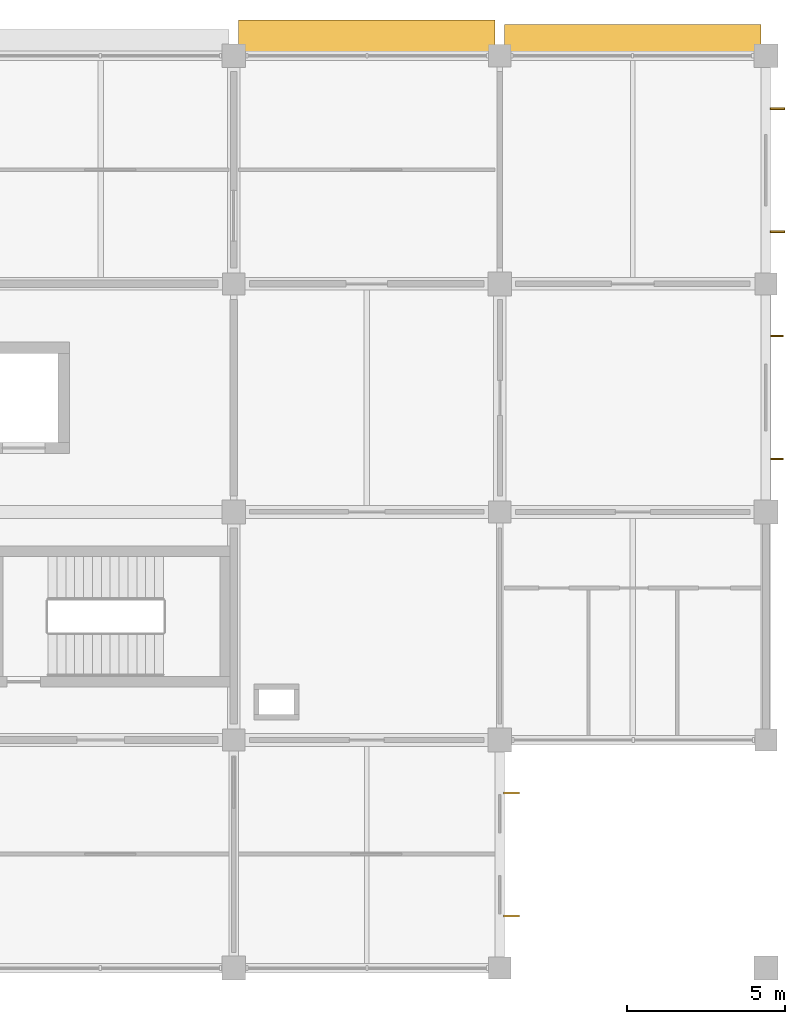
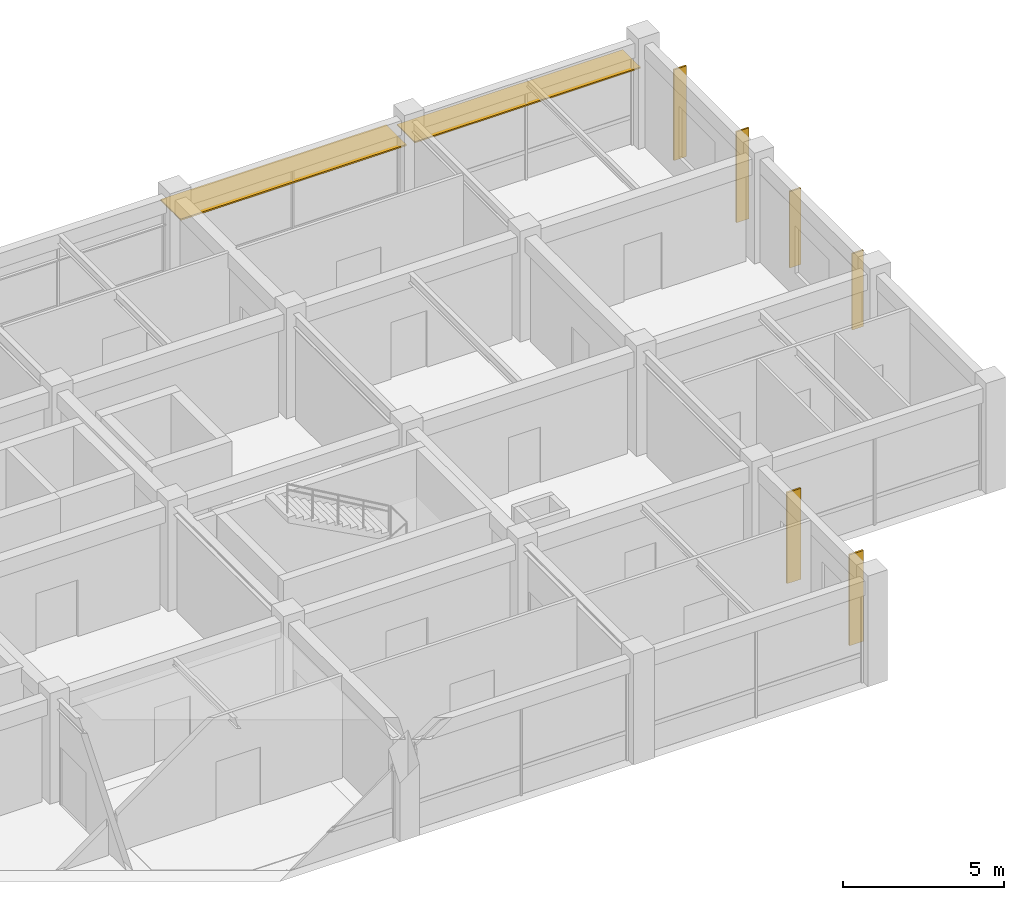
# One storey, part 13 of 13: 8 shading devices.
"""IFC4 building model written with IfcOpenShell, lengths in metres."""

import ifcopenshell
import ifcopenshell.guid

model = None  # the IFC model being written
_history = None  # IfcOwnerHistory: only IFC2X3 demands one
_inside = {}  # id of a spatial element -> (the spatial element, [elements in it])
_under = {}  # id of a project, library or spatial element -> (it, [spatial elements below it])
_declared = {}  # id of a project -> (the project, [libraries it declares])
_typed = {}  # id of a type object -> (the type object, [elements of that type])
_made_of = {}  # id of a material, layer set ... -> (it, [elements and type objects made of it])


def new_model(schema):
    """Start an empty IFC model of exactly this schema.

    Asked for "IFC4X3", IfcOpenShell would pick the latest addendum, in which some entities
    have other attributes; the version numbers below select the first issue.
    IFC2X3 requires an IfcOwnerHistory on every rooted entity: one is made here for all.
    """
    global model, _history
    if schema == "IFC4X3":
        model = ifcopenshell.file(schema_version=(4, 3, 0, 0))
    else:
        model = ifcopenshell.file(schema=schema)
    _inside.clear()
    _under.clear()
    _declared.clear()
    _typed.clear()
    _made_of.clear()
    _history = None
    if model.schema == "IFC2X3":
        org = make("IfcOrganization", Name="unknown")
        user = make(
            "IfcPersonAndOrganization",
            ThePerson=make("IfcPerson", FamilyName="unknown"),
            TheOrganization=org,
        )
        app = make(
            "IfcApplication",
            ApplicationDeveloper=org,
            Version="unknown",
            ApplicationFullName="unknown",
            ApplicationIdentifier="unknown",
        )
        _history = make(
            "IfcOwnerHistory",
            OwningUser=user,
            OwningApplication=app,
            ChangeAction="ADDED",
            CreationDate=0,
        )
    return model


def make(cls, **values):
    """One entity of the class cls with the attributes given. An attribute that is None is left unset."""
    return model.create_entity(
        cls, **{name: value for name, value in values.items() if value is not None}
    )


def rooted(cls, **values):
    """An entity with a GlobalId (a new one), such as an element, a storey or a relation."""
    return make(cls, GlobalId=ifcopenshell.guid.new(), OwnerHistory=_history, **values)


def si_unit(unit_type, name, prefix=None):
    """IfcSIUnit, for example si_unit("LENGTHUNIT", "METRE", prefix="MILLI")."""
    return make("IfcSIUnit", UnitType=unit_type, Prefix=prefix, Name=name)


def derived_unit(unit_type, elements):
    """IfcDerivedUnit: a product of units, each with its exponent."""
    return make(
        "IfcDerivedUnit",
        Elements=[
            make("IfcDerivedUnitElement", Unit=unit, Exponent=power)
            for unit, power in elements
        ],
        UnitType=unit_type,
    )


def assignment(units):
    """IfcUnitAssignment: the units of a project."""
    return None if units is None else make("IfcUnitAssignment", Units=units)


def point(xyz):
    """IfcCartesianPoint."""
    return None if xyz is None else make("IfcCartesianPoint", Coordinates=xyz)


def direction(xyz):
    """IfcDirection."""
    return None if xyz is None else make("IfcDirection", DirectionRatios=xyz)


def frame(location, z_axis=None, x_axis=None):
    """IfcAxis2Placement3D, a coordinate frame: its origin and axes. An axis left out is left unset."""
    return make(
        "IfcAxis2Placement3D",
        Location=point(location),
        Axis=direction(z_axis),
        RefDirection=direction(x_axis),
    )


def frame_2d(location, x_axis=None):
    """IfcAxis2Placement2D, a coordinate frame in the plane: its origin and x axis."""
    return make(
        "IfcAxis2Placement2D", Location=point(location), RefDirection=direction(x_axis)
    )


def origin():
    """The frame at (0, 0, 0) with its axes left unset."""
    return frame((0.0, 0.0, 0.0))


def origin_2d():
    """The frame at (0, 0) in the plane with its x axis left unset."""
    return frame_2d((0.0, 0.0))


def place(relative_to, where):
    """IfcLocalPlacement: puts the frame where relative to a parent placement (None: the world)."""
    return make(
        "IfcLocalPlacement", PlacementRelTo=relative_to, RelativePlacement=where
    )


def context(
    kind, dimensions, precision=None, world=None, true_north=None, identifier=None
):
    """IfcGeometricRepresentationContext, for example the 3D "Model" context."""
    return make(
        "IfcGeometricRepresentationContext",
        ContextIdentifier=identifier,
        ContextType=kind,
        CoordinateSpaceDimension=dimensions,
        Precision=precision,
        WorldCoordinateSystem=world,
        TrueNorth=true_north,
    )


def subcontext(parent, identifier, kind, view, scale=None):
    """IfcGeometricRepresentationSubContext, for example "Body" below "Model"."""
    return make(
        "IfcGeometricRepresentationSubContext",
        ContextIdentifier=identifier,
        ContextType=kind,
        ParentContext=parent,
        TargetScale=scale,
        TargetView=view,
    )


def project(units=None, contexts=None):
    """IfcProject with its units and contexts."""
    return rooted(
        "IfcProject",
        Name="project",
        RepresentationContexts=contexts,
        UnitsInContext=assignment(units),
    )


def spatial(cls, under=None, at=None, **own):
    """A site, building, storey or space (cls), placed at a placement, below another one or the project."""
    s = rooted(cls, ObjectPlacement=at, **own)
    if under is not None:
        _under.setdefault(under.id(), (under, []))[1].append(s)
    return s


def profile(cls, at=None, kind="AREA", **sizes):
    """A parametric profile (cls). Its sizes go by their IFC names, for example OverallWidth=200.0."""
    return make(cls, ProfileType=kind, Position=at, **sizes)


def rectangle(**sizes):
    """IfcRectangleProfileDef."""
    return profile("IfcRectangleProfileDef", **sizes)


def extrude(swept, where, along, depth):
    """IfcExtrudedAreaSolid: the profile swept, set in the frame where, extruded along a direction by depth."""
    return make(
        "IfcExtrudedAreaSolid",
        SweptArea=swept,
        Position=where,
        ExtrudedDirection=direction(along),
        Depth=depth,
    )


def shape(context_of_items, identifier, shape_type, items):
    """IfcShapeRepresentation: the items that make up one representation, for example the "Body"."""
    return make(
        "IfcShapeRepresentation",
        ContextOfItems=context_of_items,
        RepresentationIdentifier=identifier,
        RepresentationType=shape_type,
        Items=items,
    )


def material(Name=None, Category=None):
    """IfcMaterial."""
    return make("IfcMaterial", Name=Name, Category=Category)


def layer(
    of_material, thickness, ventilated=None, Name=None, Category=None, Priority=None
):
    """IfcMaterialLayer: one layer of a wall or slab, of a material (None: an air gap)."""
    return make(
        "IfcMaterialLayer",
        Material=of_material,
        LayerThickness=thickness,
        IsVentilated=ventilated,
        Name=Name,
        Category=Category,
        Priority=Priority,
    )


def layer_set(layers, Name=None):
    """IfcMaterialLayerSet."""
    return make("IfcMaterialLayerSet", MaterialLayers=layers, LayerSetName=Name)


def made_of(thing, what):
    """Note that an element or type object is made of a material, layer set ...; save() writes the relation."""
    if what is not None:
        _made_of.setdefault(what.id(), (what, []))[1].append(thing)
    return thing


def type_object(cls, material=None, **own):
    """A type object (cls), such as IfcWallType, which elements share."""
    return made_of(rooted(cls, **own), material)


def element(
    cls,
    number,
    at=None,
    inside=None,
    cuts=None,
    type_object=None,
    material=None,
    context=None,
    identifier="Body",
    shape_type=None,
    held_by="IfcProductDefinitionShape",
    body=None,
    shapes=None,
    **own,
):
    """One element of the class cls, such as IfcWall. Its Tag is "e" and its number.

    at: its placement. inside: the storey or other place that contains it. cuts: it is an
    opening in that element (IfcRelVoidsElement). A single representation is given by context,
    identifier, shape_type and body (its items); several are given by shapes. held_by: the class
    of the entity that holds the representations. save() writes the other relations.
    """
    e = rooted(cls, Tag="e%d" % number, ObjectPlacement=at, **own)
    if body is not None:
        shapes = [shape(context, identifier, shape_type, body)]
    if shapes is not None:
        e.Representation = make(held_by, Representations=shapes)
    if inside is not None:
        _inside.setdefault(inside.id(), (inside, []))[1].append(e)
    if cuts is not None:
        rooted(
            "IfcRelVoidsElement", RelatingBuildingElement=cuts, RelatedOpeningElement=e
        )
    if type_object is not None:
        _typed.setdefault(type_object.id(), (type_object, []))[1].append(e)
    return made_of(e, material)


def aggregate(whole, parts):
    """IfcRelAggregates: a whole, such as a stair, and the parts it consists of."""
    return rooted("IfcRelAggregates", RelatingObject=whole, RelatedObjects=parts)


def save(model, path):
    """Write the relations noted so far, then the file.

    IfcRelAggregates (storeys below a building ...), IfcRelContainedInSpatialStructure (elements
    in a storey), IfcRelDefinesByType, IfcRelAssociatesMaterial and IfcRelDeclares: one each for
    every whole, place, type object, material and project.
    """
    for whole, parts in _under.values():
        aggregate(whole, parts)
    for where, things in _inside.values():
        rooted(
            "IfcRelContainedInSpatialStructure",
            RelatedElements=things,
            RelatingStructure=where,
        )
    for kind, things in _typed.values():
        rooted("IfcRelDefinesByType", RelatedObjects=things, RelatingType=kind)
    for what, things in _made_of.values():
        rooted("IfcRelAssociatesMaterial", RelatedObjects=things, RelatingMaterial=what)
    for by, libraries in _declared.values():
        rooted("IfcRelDeclares", RelatingContext=by, RelatedDefinitions=libraries)
    model.write(path)


model = new_model("IFC4")

# Units and contexts
model_context = context("Model", 3, precision=1e-05, world=origin(), true_north=direction((0.0, 1.0)))
body_context = subcontext(model_context, "Body", "Model", "MODEL_VIEW")
ifc_project = project(units=[si_unit("LENGTHUNIT", "METRE"), si_unit("AREAUNIT", "SQUARE_METRE"), si_unit("VOLUMEUNIT", "CUBIC_METRE"), si_unit("PLANEANGLEUNIT", "RADIAN"), si_unit("MASSUNIT", "GRAM", prefix="KILO"), derived_unit("THERMALTRANSMITTANCEUNIT", [(si_unit("MASSUNIT", "GRAM", prefix="KILO"), 1), (si_unit("TIMEUNIT", "SECOND"), -3), (si_unit("THERMODYNAMICTEMPERATUREUNIT", "KELVIN"), -1)])], contexts=[model_context])

# Site, building, storey
site_placement = place(None, origin())
site = spatial("IfcSite", under=ifc_project, at=site_placement, CompositionType="ELEMENT")
building_placement = place(site_placement, origin())
building = spatial("IfcBuilding", under=site, at=building_placement, Name="Veldstrom Oceanarium and Marine Research Institute", CompositionType="ELEMENT")
storey_placement = place(building_placement, frame((0.0, 0.0, 39.60009765625)))
storey = spatial("IfcBuildingStorey", under=building, at=storey_placement, Name="L08", CompositionType="ELEMENT", Elevation=39.60009765625)

# Shading devices
ifc_material_1 = material(Name="Precast Terracotta Brise-Soleil Louvre", Category="masonry")
ifc_layer_1 = layer(ifc_material_1, 3.60009765625)
ifc_layer_set_1 = layer_set([ifc_layer_1], Name="ARC-SHD-BS01")
shading_device_type_1 = type_object("IfcShadingDeviceType", Name="ARC-SHD-BS01", PredefinedType="JALOUSIE", material=ifc_layer_set_1)
for number, where, z_axis, x_axis, name in (
    (1, (117.965087890625, 66.445068359375, 0.19970703125), (0.0, 0.0, 1.0), (1.0, 0.0, 0.0), "Terracotta Brise-Soleil Louvre L08-132"),
    (2, (117.965087890625, 70.330078125, 0.19970703125), (0.0, 0.0, 1.0), (1.0, 0.0, 0.0), "Terracotta Brise-Soleil Louvre L08-132"),
):
    element("IfcShadingDevice", number, at=place(storey_placement, frame(where, z_axis=z_axis, x_axis=x_axis)), inside=storey, type_object=shading_device_type_1, Name=name, PredefinedType="JALOUSIE", context=body_context, shape_type="SweptSolid", body=[
        extrude(rectangle(XDim=0.449951171875, YDim=0.06005859375, at=origin_2d()), origin(), (0.0, 0.0, 1.0), 3.449951171875),
    ])
ifc_material_2 = material(Name="Precast Terracotta Brise-Soleil Louvre", Category="masonry")
ifc_layer_2 = layer(ifc_material_2, 4.199951171875)
ifc_layer_set_2 = layer_set([ifc_layer_2], Name="ARC-SHD-BS03")
shading_device_type_2 = type_object("IfcShadingDeviceType", Name="ARC-SHD-BS03", PredefinedType="JALOUSIE", material=ifc_layer_set_2)
for number, where, z_axis, x_axis, name in (
    (3, (109.570068359375, 44.844970703125, 0.19970703125), (0.0, 0.0, 1.0), (1.0, 0.0, 0.0), "Terracotta Brise-Soleil Louvre L08-130"),
    (4, (109.570068359375, 48.72998046875, 0.19970703125), (0.0, 0.0, 1.0), (1.0, 0.0, 0.0), "Terracotta Brise-Soleil Louvre L08-130"),
):
    element("IfcShadingDevice", number, at=place(storey_placement, frame(where, z_axis=z_axis, x_axis=x_axis)), inside=storey, type_object=shading_device_type_2, Name=name, PredefinedType="JALOUSIE", context=body_context, shape_type="SweptSolid", body=[
        extrude(rectangle(XDim=0.5, YDim=0.06494140625, at=origin_2d()), origin(), (0.0, 0.0, 1.0), 3.449951171875),
    ])
ifc_material_3 = material(Name="Precast Terracotta Brise-Soleil Louvre", Category="masonry")
ifc_layer_3 = layer(ifc_material_3, 2.89990234375)
ifc_layer_set_3 = layer_set([ifc_layer_3], Name="ARC-SHD-BS04")
shading_device_type_3 = type_object("IfcShadingDeviceType", Name="ARC-SHD-BS04", PredefinedType="JALOUSIE", material=ifc_layer_set_3)
for number, where, z_axis, x_axis, name in (
    (5, (117.949951171875, 59.27001953125, 0.474853515625), (0.0, 0.0, 1.0), (1.0, 0.0, 0.0), "Terracotta Brise-Soleil Louvre L08-131"),
    (6, (117.949951171875, 63.155029296875, 0.474853515625), (0.0, 0.0, 1.0), (1.0, 0.0, 0.0), "Terracotta Brise-Soleil Louvre L08-131"),
):
    element("IfcShadingDevice", number, at=place(storey_placement, frame(where, z_axis=z_axis, x_axis=x_axis)), inside=storey, type_object=shading_device_type_3, Name=name, PredefinedType="JALOUSIE", context=body_context, shape_type="SweptSolid", body=[
        extrude(rectangle(XDim=0.39990234375, YDim=0.054931640625, at=origin_2d()), origin(), (0.0, 0.0, 1.0), 2.89990234375),
    ])
ifc_material_4 = material(Name="Perforated Anodised Aluminium Louvre", Category="aluminium")
ifc_layer_4 = layer(ifc_material_4, 0.054931640625)
ifc_layer_set_4 = layer_set([ifc_layer_4], Name="ARC-SHD-SH01")
shading_device_type_4 = type_object("IfcShadingDeviceType", Name="ARC-SHD-SH01", PredefinedType="AWNING", material=ifc_layer_set_4)
shading_device_1_placement = place(storey_placement, frame((105.0, 72.5048828125, 2.85009765625), z_axis=(0.0, 0.0, 1.0), x_axis=(1.0, 0.0, 0.0)))
element("IfcShadingDevice", 7, at=shading_device_1_placement, inside=storey, type_object=shading_device_type_4, Name="North Solar Canopy Louvre L08-13", PredefinedType="AWNING", context=body_context, shape_type="SweptSolid", body=[
    extrude(rectangle(XDim=8.10009765625, YDim=1.25, at=origin_2d()), origin(), (0.0, 0.0, 1.0), 0.054931640625),
])
ifc_material_5 = material(Name="Perforated Anodised Aluminium Louvre", Category="aluminium")
ifc_layer_5 = layer(ifc_material_5, 0.050048828125)
ifc_layer_set_5 = layer_set([ifc_layer_5], Name="ARC-SHD-SH02")
shading_device_type_5 = type_object("IfcShadingDeviceType", Name="ARC-SHD-SH02", PredefinedType="AWNING", material=ifc_layer_set_5)
shading_device_2_placement = place(storey_placement, frame((113.39990234375, 72.429931640625, 2.85009765625), z_axis=(0.0, 0.0, 1.0), x_axis=(1.0, 0.0, 0.0)))
element("IfcShadingDevice", 8, at=shading_device_2_placement, inside=storey, type_object=shading_device_type_5, Name="North Solar Canopy Louvre L08-14", PredefinedType="AWNING", context=body_context, shape_type="SweptSolid", body=[
    extrude(rectangle(XDim=8.10009765625, YDim=1.10009765625, at=origin_2d()), origin(), (0.0, 0.0, 1.0), 0.050048828125),
])

save(model, "model.ifc")
